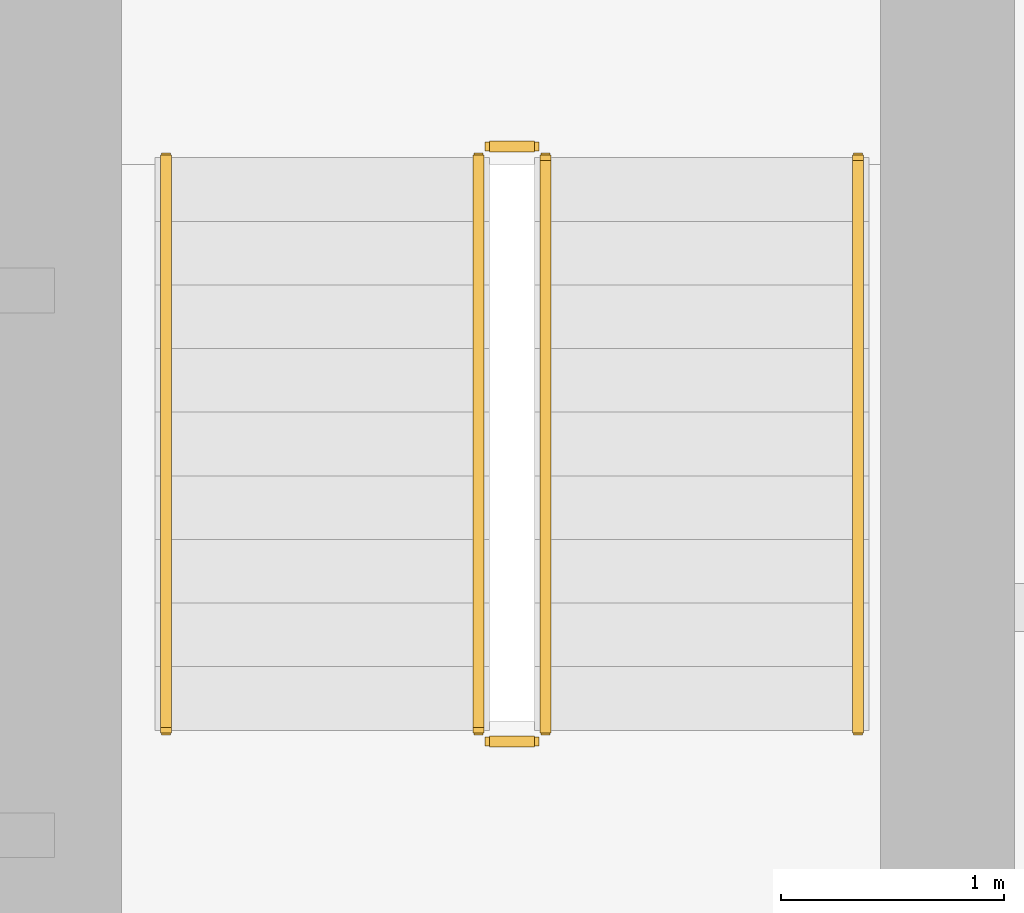
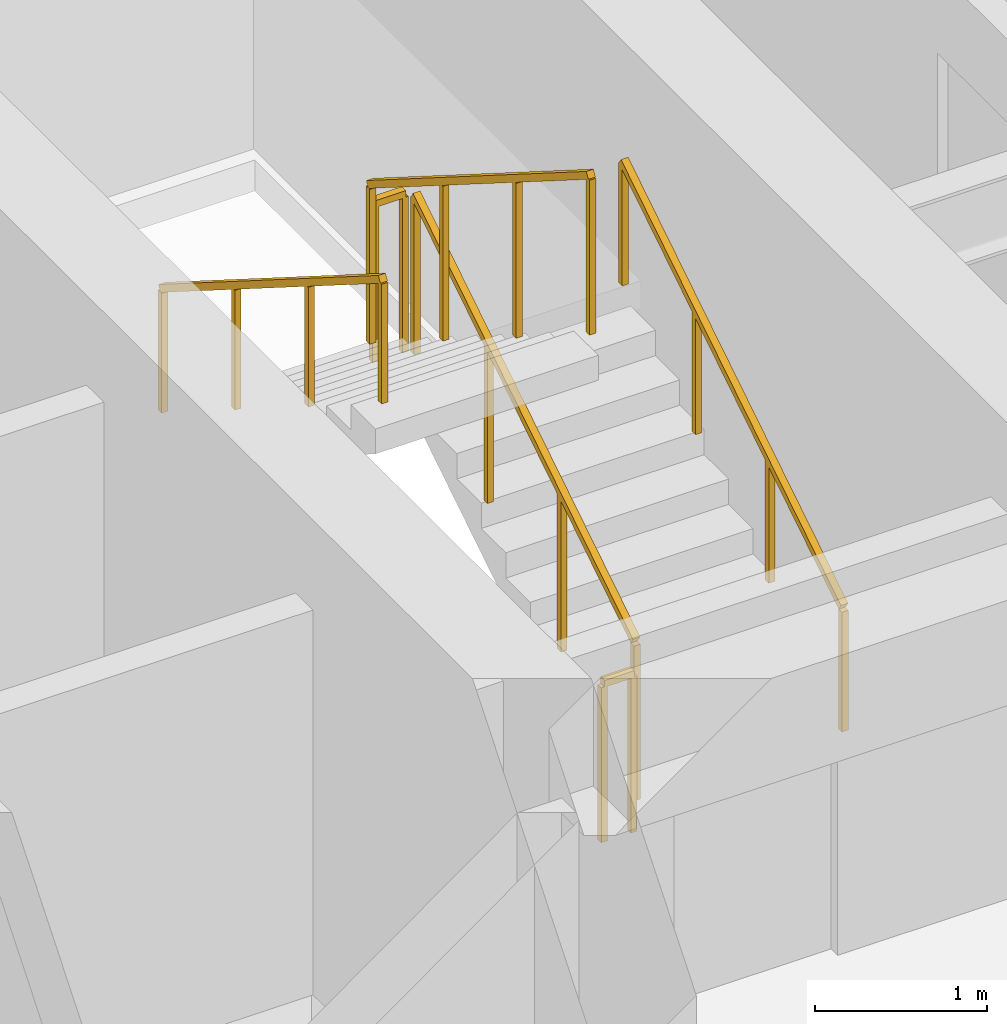
# One storey, part 26 of 26: 6 railings.
"""IFC4 building model written with IfcOpenShell, lengths in metres."""

from ifc_helpers import new_model, si_unit, direction, frame, origin, origin_2d, place, context, subcontext, project, spatial, rectangle, extrude, material, type_object, element, save


model = new_model("IFC4")

# Units and contexts
model_context = context("Model", 3, precision=1e-05, world=origin(), true_north=direction((0.0, 1.0)))
body_context = subcontext(model_context, "Body", "Model", "MODEL_VIEW")
ifc_project = project(units=[si_unit("LENGTHUNIT", "METRE"), si_unit("AREAUNIT", "SQUARE_METRE"), si_unit("VOLUMEUNIT", "CUBIC_METRE"), si_unit("PLANEANGLEUNIT", "RADIAN"), si_unit("MASSUNIT", "GRAM", prefix="KILO")], contexts=[model_context])

# Site, building, storey
site_placement = place(None, origin())
site = spatial("IfcSite", under=ifc_project, at=site_placement, CompositionType="ELEMENT")
building_placement = place(site_placement, origin())
building = spatial("IfcBuilding", under=site, at=building_placement, Name="Sarneth Arch Tower", CompositionType="ELEMENT")
storey_placement = place(building_placement, frame((0.0, 0.0, 71.39990234375)))
storey = spatial("IfcBuildingStorey", under=building, at=storey_placement, Name="L17", CompositionType="ELEMENT", Elevation=71.39990234375)

# Railings
ifc_material_1 = material(Name="Brushed Stainless Steel 304 tubular handrail", Category="steel")
railing_type_1 = type_object("IfcRailingType", Name="RAIL-HANDRAIL-900", PredefinedType="HANDRAIL", material=ifc_material_1)
railing_1_placement = place(storey_placement, frame((58.60009765625, 41.449951171875, 0.18017578125)))
element("IfcRailing", 1, at=railing_1_placement, inside=storey, type_object=railing_type_1, Name="L17 ST-2 stair handrail 1", PredefinedType="HANDRAIL", context=body_context, shape_type="SweptSolid", body=[
    extrude(rectangle(XDim=0.048095703125, YDim=0.048095703125, at=origin_2d()), frame((0.0, 0.0, 0.8759765625), z_axis=(0.0, 0.845502289212, 0.533971796014), x_axis=(-1.0, 0.0, 0.0)), (0.0, 0.0, 1.0), 3.03369140625),
    extrude(rectangle(XDim=0.0419921875, YDim=0.0419921875, at=origin_2d()), origin(), (0.0, 0.0, 1.0), 0.851806640625),
    extrude(rectangle(XDim=0.0419921875, YDim=0.0419921875, at=origin_2d()), frame((0.0, 0.85498046875, 0.5400390625)), (0.0, 0.0, 1.0), 0.851806640625),
    extrude(rectangle(XDim=0.0419921875, YDim=0.0419921875, at=origin_2d()), frame((0.0, 1.7099609375, 1.079833984375)), (0.0, 0.0, 1.0), 0.851806640625),
    extrude(rectangle(XDim=0.0419921875, YDim=0.0419921875, at=origin_2d()), frame((0.0, 2.56494140625, 1.619873046875)), (0.0, 0.0, 1.0), 0.851806640625),
])
railing_2_placement = place(storey_placement, frame((55.5, 44.014892578125, 1.97998046875)))
element("IfcRailing", 2, at=railing_2_placement, inside=storey, type_object=railing_type_1, Name="L17 ST-2 stair handrail 2", PredefinedType="HANDRAIL", context=body_context, shape_type="SweptSolid", body=[
    extrude(rectangle(XDim=0.048095703125, YDim=0.048095703125, at=origin_2d()), frame((0.0, 0.0, 0.8759765625), z_axis=(0.0, -0.845465955043, 0.534029323973), x_axis=(1.0, 0.0, 0.0)), (0.0, 0.0, 1.0), 3.03369140625),
    extrude(rectangle(XDim=0.0419921875, YDim=0.0419921875, at=origin_2d()), origin(), (0.0, 0.0, 1.0), 0.851806640625),
    extrude(rectangle(XDim=0.0419921875, YDim=0.0419921875, at=origin_2d()), frame((0.0, -0.85498046875, 0.5400390625)), (0.0, 0.0, 1.0), 0.851806640625),
    extrude(rectangle(XDim=0.0419921875, YDim=0.0419921875, at=origin_2d()), frame((0.0, -1.7099609375, 1.080078125)), (0.0, 0.0, 1.0), 0.851806640625),
    extrude(rectangle(XDim=0.0419921875, YDim=0.0419921875, at=origin_2d()), frame((0.0, -2.56494140625, 1.6201171875)), (0.0, 0.0, 1.0), 0.851806640625),
])
ifc_material_2 = material(Name="Painted Steel S275 stair well guard", Category="steel")
railing_type_2 = type_object("IfcRailingType", Name="RAIL-STAIR-GUARD", PredefinedType="GUARDRAIL", material=ifc_material_2)
railing_3_placement = place(storey_placement, frame((57.199951171875, 41.449951171875, 0.18017578125)))
element("IfcRailing", 3, at=railing_3_placement, inside=storey, type_object=railing_type_2, Name="L17 ST-2 stair guard 1", PredefinedType="GUARDRAIL", context=body_context, shape_type="SweptSolid", body=[
    extrude(rectangle(XDim=0.048095703125, YDim=0.048095703125, at=origin_2d()), frame((0.0, 0.0, 1.1259765625), z_axis=(0.0, 0.845502289212, 0.533971796014), x_axis=(-1.0, 0.0, 0.0)), (0.0, 0.0, 1.0), 3.03369140625),
    extrude(rectangle(XDim=0.0419921875, YDim=0.0419921875, at=origin_2d()), origin(), (0.0, 0.0, 1.0), 1.101806640625),
    extrude(rectangle(XDim=0.0419921875, YDim=0.0419921875, at=origin_2d()), frame((0.0, 0.85498046875, 0.5400390625)), (0.0, 0.0, 1.0), 1.101806640625),
    extrude(rectangle(XDim=0.0419921875, YDim=0.0419921875, at=origin_2d()), frame((0.0, 1.7099609375, 1.079833984375)), (0.0, 0.0, 1.0), 1.101806640625),
    extrude(rectangle(XDim=0.0419921875, YDim=0.0419921875, at=origin_2d()), frame((0.0, 2.56494140625, 1.619873046875)), (0.0, 0.0, 1.0), 1.101806640625),
])
railing_4_placement = place(storey_placement, frame((57.14990234375, 44.06494140625, 1.800048828125)))
element("IfcRailing", 4, at=railing_4_placement, inside=storey, type_object=railing_type_2, Name="L17 ST-2 stair guard 2", PredefinedType="GUARDRAIL", context=body_context, shape_type="SweptSolid", body=[
    extrude(rectangle(XDim=0.048095703125, YDim=0.048095703125, at=origin_2d()), frame((0.0, 0.0, 1.1259765625), z_axis=(-1.0, 0.0, 0.0), x_axis=(0.0, -1.0, 0.0)), (0.0, 0.0, 1.0), 0.199951171875),
    extrude(rectangle(XDim=0.0419921875, YDim=0.0419921875, at=origin_2d()), origin(), (0.0, 0.0, 1.0), 1.101806640625),
    extrude(rectangle(XDim=0.0419921875, YDim=0.0419921875, at=origin_2d()), frame((-0.199951171875, 0.0, 0.0)), (0.0, 0.0, 1.0), 1.101806640625),
])
railing_5_placement = place(storey_placement, frame((56.89990234375, 44.014892578125, 1.97998046875)))
element("IfcRailing", 5, at=railing_5_placement, inside=storey, type_object=railing_type_2, Name="L17 ST-2 stair guard 3", PredefinedType="GUARDRAIL", context=body_context, shape_type="SweptSolid", body=[
    extrude(rectangle(XDim=0.048095703125, YDim=0.048095703125, at=origin_2d()), frame((0.0, 0.0, 1.1259765625), z_axis=(0.0, -0.845465955043, 0.534029323973), x_axis=(1.0, 0.0, 0.0)), (0.0, 0.0, 1.0), 3.03369140625),
    extrude(rectangle(XDim=0.0419921875, YDim=0.0419921875, at=origin_2d()), origin(), (0.0, 0.0, 1.0), 1.101806640625),
    extrude(rectangle(XDim=0.0419921875, YDim=0.0419921875, at=origin_2d()), frame((0.0, -0.85498046875, 0.5400390625)), (0.0, 0.0, 1.0), 1.101806640625),
    extrude(rectangle(XDim=0.0419921875, YDim=0.0419921875, at=origin_2d()), frame((0.0, -1.7099609375, 1.080078125)), (0.0, 0.0, 1.0), 1.101806640625),
    extrude(rectangle(XDim=0.0419921875, YDim=0.0419921875, at=origin_2d()), frame((0.0, -2.56494140625, 1.6201171875)), (0.0, 0.0, 1.0), 1.101806640625),
])
railing_6_placement = place(storey_placement, frame((57.14990234375, 41.39990234375, 0.0)))
element("IfcRailing", 6, at=railing_6_placement, inside=storey, type_object=railing_type_2, Name="L17 ST-2 stair guard 4", PredefinedType="GUARDRAIL", context=body_context, shape_type="SweptSolid", body=[
    extrude(rectangle(XDim=0.048095703125, YDim=0.048095703125, at=origin_2d()), frame((0.0, 0.0, 1.1259765625), z_axis=(-1.0, 0.0, 0.0), x_axis=(0.0, -1.0, 0.0)), (0.0, 0.0, 1.0), 0.199951171875),
    extrude(rectangle(XDim=0.0419921875, YDim=0.0419921875, at=origin_2d()), origin(), (0.0, 0.0, 1.0), 1.101806640625),
    extrude(rectangle(XDim=0.0419921875, YDim=0.0419921875, at=origin_2d()), frame((-0.199951171875, 0.0, 0.0)), (0.0, 0.0, 1.0), 1.101806640625),
])

save(model, "model.ifc")
